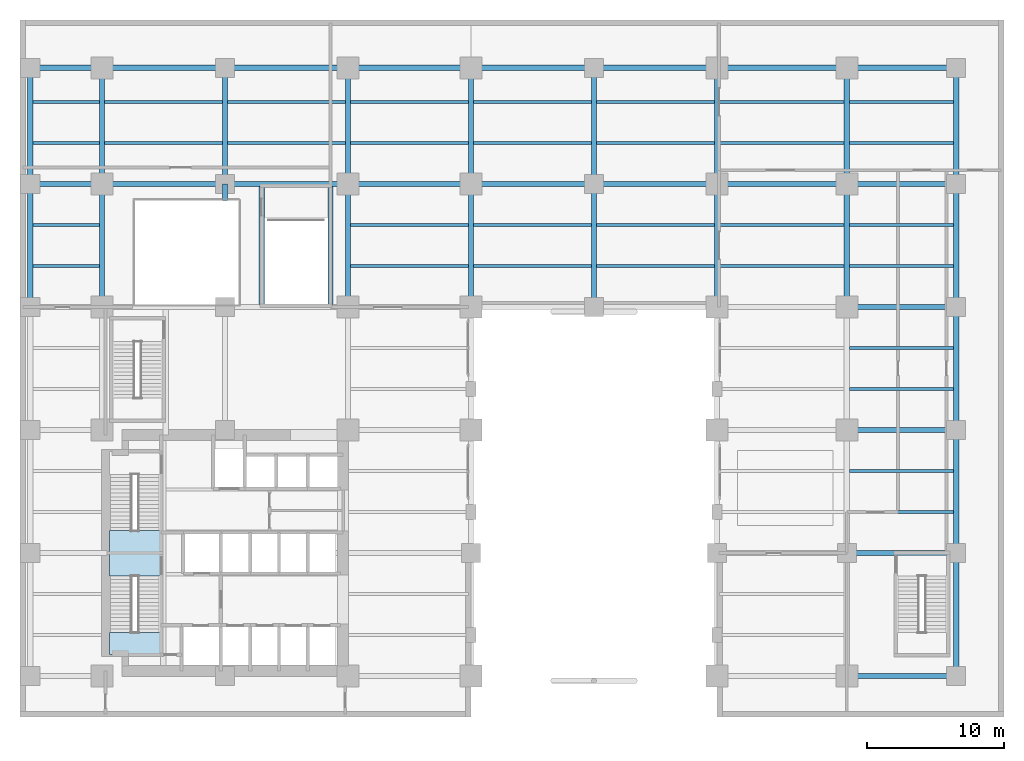
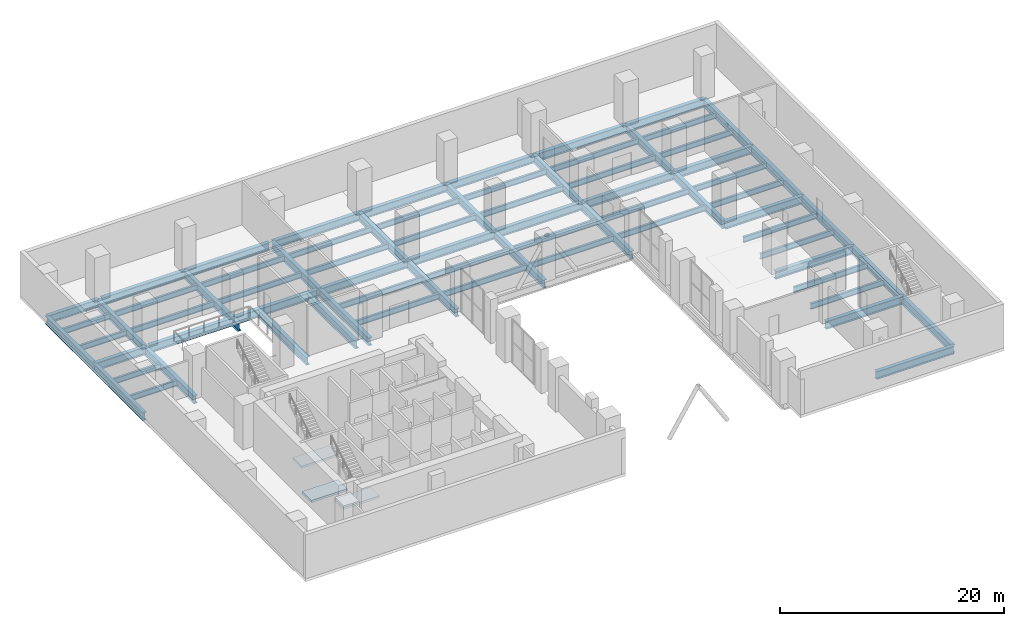
# One storey, part 7 of 13: 75 beams, 3 slabs, 2 elements without a shape of their own.
"""IFC4 building model written with IfcOpenShell, lengths in metres."""

from ifc_helpers import new_model, si_unit, direction, frame, origin, origin_2d, place, context, subcontext, project, spatial, polyline, i_section, outline, extrude, material, layer, layer_set, material_profile, profile_set, type_object, element, aggregate, save


model = new_model("IFC4")

# Units and contexts
model_context = context("Model", 3, precision=1e-05, world=origin(), true_north=direction((0.0, 1.0)))
body_context = subcontext(model_context, "Body", "Model", "MODEL_VIEW")
ifc_project = project(units=[si_unit("LENGTHUNIT", "METRE"), si_unit("AREAUNIT", "SQUARE_METRE"), si_unit("VOLUMEUNIT", "CUBIC_METRE"), si_unit("PLANEANGLEUNIT", "RADIAN"), si_unit("MASSUNIT", "GRAM", prefix="KILO")], contexts=[model_context])

# Site, building, storey
site_placement = place(None, origin())
site = spatial("IfcSite", under=ifc_project, at=site_placement, CompositionType="ELEMENT")
building_placement = place(site_placement, origin())
building = spatial("IfcBuilding", under=site, at=building_placement, Name="Mawjdan Bourse Tower", CompositionType="ELEMENT")
storey_placement = place(building_placement, frame((0.0, 0.0, 10.800048828125)))
storey = spatial("IfcBuildingStorey", under=building, at=storey_placement, Name="L02", CompositionType="ELEMENT", Elevation=10.800048828125)

# Beams
ifc_material_1 = material(Name="Structural Steel S355", Category="steel")
ifc_material_profile_1 = material_profile(ifc_material_1, i_section(OverallWidth=0.39892578125, OverallDepth=0.85595703125, WebThickness=0.018310546875, FlangeThickness=0.029296875, FilletRadius=0.0234375, at=origin_2d()), Name="W33X201")
ifc_profile_set_1 = profile_set([ifc_material_profile_1], Name="Structural Steel S355")
beam_type_1 = type_object("IfcBeamType", Name="GRD-W33X201", PredefinedType="BEAM", material=ifc_profile_set_1)
beam_1_placement = place(storey_placement, frame((0.75, 30.0, -0.72802734375), z_axis=(0.0, 1.0, 0.0), x_axis=(-1.0, 0.0, 0.0)))
element("IfcBeam", 1, at=beam_1_placement, inside=storey, type_object=beam_type_1, Name="L02 West Facade Pier Girder 005", PredefinedType="BEAM", context=body_context, shape_type="SweptSolid", body=[
    extrude(i_section(OverallWidth=0.39892578125, OverallDepth=0.85595703125, WebThickness=0.018310546875, FlangeThickness=0.029296875, FilletRadius=0.0234375, at=origin_2d()), origin(), (0.0, 0.0, 1.0), 9.0),
])
beam_2_placement = place(storey_placement, frame((0.75, 39.0, -0.72802734375), z_axis=(0.0, 1.0, 0.0), x_axis=(-1.0, 0.0, 0.0)))
element("IfcBeam", 2, at=beam_2_placement, inside=storey, type_object=beam_type_1, Name="L02 West Facade Pier Girder 006", PredefinedType="BEAM", context=body_context, shape_type="SweptSolid", body=[
    extrude(i_section(OverallWidth=0.39892578125, OverallDepth=0.85595703125, WebThickness=0.018310546875, FlangeThickness=0.029296875, FilletRadius=0.0234375, at=origin_2d()), origin(), (0.0, 0.0, 1.0), 8.5),
])
for number, where, z_axis, x_axis, name in (
    (3, (17.679931640625, 30.197509765625, -0.72802734375), (0.0, 1.0, 0.0), (-1.0, 0.0, 0.0), "L02 ST4 Stair West Trimmer 008"),
    (4, (22.719970703125, 30.197509765625, -0.72802734375), (0.0, 1.0, 0.0), (-1.0, 0.0, 0.0), "L02 ST4 Stair East Trimmer 009"),
):
    element("IfcBeam", number, at=place(storey_placement, frame(where, z_axis=z_axis, x_axis=x_axis)), inside=storey, type_object=beam_type_1, Name=name, PredefinedType="BEAM", context=body_context, shape_type="SweptSolid", body=[
        extrude(i_section(OverallWidth=0.39892578125, OverallDepth=0.85595703125, WebThickness=0.018310546875, FlangeThickness=0.029296875, FilletRadius=0.0234375, at=origin_2d()), origin(), (0.0, 0.0, 1.0), 8.60498046875),
    ])
beam_3_placement = place(storey_placement, frame((6.0, 30.0, -0.72802734375), z_axis=(0.0, 1.0, 0.0), x_axis=(-1.0, 0.0, 0.0)))
element("IfcBeam", 5, at=beam_3_placement, inside=storey, type_object=beam_type_1, Name="L02 Podium Primary Girder 011", PredefinedType="BEAM", context=body_context, shape_type="SweptSolid", body=[
    extrude(i_section(OverallWidth=0.39892578125, OverallDepth=0.85595703125, WebThickness=0.018310546875, FlangeThickness=0.029296875, FilletRadius=0.0234375, at=origin_2d()), origin(), (0.0, 0.0, 1.0), 9.0),
])
beam_4_placement = place(storey_placement, frame((6.0, 39.0, -0.72802734375), z_axis=(0.0, 1.0, 0.0), x_axis=(-1.0, 0.0, 0.0)))
element("IfcBeam", 6, at=beam_4_placement, inside=storey, type_object=beam_type_1, Name="L02 Podium Primary Girder 012", PredefinedType="BEAM", context=body_context, shape_type="SweptSolid", body=[
    extrude(i_section(OverallWidth=0.39892578125, OverallDepth=0.85595703125, WebThickness=0.018310546875, FlangeThickness=0.029296875, FilletRadius=0.0234375, at=origin_2d()), origin(), (0.0, 0.0, 1.0), 8.5),
])
beam_5_placement = place(storey_placement, frame((15.0, 37.800048828125, -0.72802734375), z_axis=(0.0, 1.0, 0.0), x_axis=(-1.0, 0.0, 0.0)))
element("IfcBeam", 7, at=beam_5_placement, inside=storey, type_object=beam_type_1, Name="L02 Podium Primary Girder 014", PredefinedType="BEAM", context=body_context, shape_type="SweptSolid", body=[
    extrude(i_section(OverallWidth=0.39892578125, OverallDepth=0.85595703125, WebThickness=0.018310546875, FlangeThickness=0.029296875, FilletRadius=0.0234375, at=origin_2d()), origin(), (0.0, 0.0, 1.0), 1.199951171875),
])
beam_6_placement = place(storey_placement, frame((15.0, 39.0, -0.72802734375), z_axis=(0.0, 1.0, 0.0), x_axis=(-1.0, 0.0, 0.0)))
element("IfcBeam", 8, at=beam_6_placement, inside=storey, type_object=beam_type_1, Name="L02 Podium Primary Girder 015", PredefinedType="BEAM", context=body_context, shape_type="SweptSolid", body=[
    extrude(i_section(OverallWidth=0.39892578125, OverallDepth=0.85595703125, WebThickness=0.018310546875, FlangeThickness=0.029296875, FilletRadius=0.0234375, at=origin_2d()), origin(), (0.0, 0.0, 1.0), 8.5),
])
beam_7_placement = place(storey_placement, frame((24.0, 30.0, -0.72802734375), z_axis=(0.0, 1.0, 0.0), x_axis=(-1.0, 0.0, 0.0)))
element("IfcBeam", 9, at=beam_7_placement, inside=storey, type_object=beam_type_1, Name="L02 Podium Primary Girder 017", PredefinedType="BEAM", context=body_context, shape_type="SweptSolid", body=[
    extrude(i_section(OverallWidth=0.39892578125, OverallDepth=0.85595703125, WebThickness=0.018310546875, FlangeThickness=0.029296875, FilletRadius=0.0234375, at=origin_2d()), origin(), (0.0, 0.0, 1.0), 9.0),
])
beam_8_placement = place(storey_placement, frame((24.0, 39.0, -0.72802734375), z_axis=(0.0, 1.0, 0.0), x_axis=(-1.0, 0.0, 0.0)))
element("IfcBeam", 10, at=beam_8_placement, inside=storey, type_object=beam_type_1, Name="L02 Podium Primary Girder 018", PredefinedType="BEAM", context=body_context, shape_type="SweptSolid", body=[
    extrude(i_section(OverallWidth=0.39892578125, OverallDepth=0.85595703125, WebThickness=0.018310546875, FlangeThickness=0.029296875, FilletRadius=0.0234375, at=origin_2d()), origin(), (0.0, 0.0, 1.0), 8.5),
])
beam_9_placement = place(storey_placement, frame((33.0, 30.0, -0.72802734375), z_axis=(0.0, 1.0, 0.0), x_axis=(-1.0, 0.0, 0.0)))
element("IfcBeam", 11, at=beam_9_placement, inside=storey, type_object=beam_type_1, Name="L02 Podium Primary Girder 022", PredefinedType="BEAM", context=body_context, shape_type="SweptSolid", body=[
    extrude(i_section(OverallWidth=0.39892578125, OverallDepth=0.85595703125, WebThickness=0.018310546875, FlangeThickness=0.029296875, FilletRadius=0.0234375, at=origin_2d()), origin(), (0.0, 0.0, 1.0), 9.0),
])
beam_10_placement = place(storey_placement, frame((33.0, 39.0, -0.72802734375), z_axis=(0.0, 1.0, 0.0), x_axis=(-1.0, 0.0, 0.0)))
element("IfcBeam", 12, at=beam_10_placement, inside=storey, type_object=beam_type_1, Name="L02 Podium Primary Girder 023", PredefinedType="BEAM", context=body_context, shape_type="SweptSolid", body=[
    extrude(i_section(OverallWidth=0.39892578125, OverallDepth=0.85595703125, WebThickness=0.018310546875, FlangeThickness=0.029296875, FilletRadius=0.0234375, at=origin_2d()), origin(), (0.0, 0.0, 1.0), 8.5),
])
beam_11_placement = place(storey_placement, frame((42.0, 30.0, -0.72802734375), z_axis=(0.0, 1.0, 0.0), x_axis=(-1.0, 0.0, 0.0)))
element("IfcBeam", 13, at=beam_11_placement, inside=storey, type_object=beam_type_1, Name="L02 Podium Primary Girder 024", PredefinedType="BEAM", context=body_context, shape_type="SweptSolid", body=[
    extrude(i_section(OverallWidth=0.39892578125, OverallDepth=0.85595703125, WebThickness=0.018310546875, FlangeThickness=0.029296875, FilletRadius=0.0234375, at=origin_2d()), origin(), (0.0, 0.0, 1.0), 9.0),
])
beam_12_placement = place(storey_placement, frame((42.0, 39.0, -0.72802734375), z_axis=(0.0, 1.0, 0.0), x_axis=(-1.0, 0.0, 0.0)))
element("IfcBeam", 14, at=beam_12_placement, inside=storey, type_object=beam_type_1, Name="L02 Podium Primary Girder 025", PredefinedType="BEAM", context=body_context, shape_type="SweptSolid", body=[
    extrude(i_section(OverallWidth=0.39892578125, OverallDepth=0.85595703125, WebThickness=0.018310546875, FlangeThickness=0.029296875, FilletRadius=0.0234375, at=origin_2d()), origin(), (0.0, 0.0, 1.0), 8.5),
])
beam_13_placement = place(storey_placement, frame((51.0, 30.0, -0.72802734375), z_axis=(0.0, 1.0, 0.0), x_axis=(-1.0, 0.0, 0.0)))
element("IfcBeam", 15, at=beam_13_placement, inside=storey, type_object=beam_type_1, Name="L02 Podium Primary Girder 029", PredefinedType="BEAM", context=body_context, shape_type="SweptSolid", body=[
    extrude(i_section(OverallWidth=0.39892578125, OverallDepth=0.85595703125, WebThickness=0.018310546875, FlangeThickness=0.029296875, FilletRadius=0.0234375, at=origin_2d()), origin(), (0.0, 0.0, 1.0), 9.0),
])
beam_14_placement = place(storey_placement, frame((51.0, 39.0, -0.72802734375), z_axis=(0.0, 1.0, 0.0), x_axis=(-1.0, 0.0, 0.0)))
element("IfcBeam", 16, at=beam_14_placement, inside=storey, type_object=beam_type_1, Name="L02 Podium Primary Girder 030", PredefinedType="BEAM", context=body_context, shape_type="SweptSolid", body=[
    extrude(i_section(OverallWidth=0.39892578125, OverallDepth=0.85595703125, WebThickness=0.018310546875, FlangeThickness=0.029296875, FilletRadius=0.0234375, at=origin_2d()), origin(), (0.0, 0.0, 1.0), 8.5),
])
beam_15_placement = place(storey_placement, frame((60.5, 30.0, -0.72802734375), z_axis=(0.0, 1.0, 0.0), x_axis=(-1.0, 0.0, 0.0)))
element("IfcBeam", 17, at=beam_15_placement, inside=storey, type_object=beam_type_1, Name="L02 Podium Primary Girder 034", PredefinedType="BEAM", context=body_context, shape_type="SweptSolid", body=[
    extrude(i_section(OverallWidth=0.39892578125, OverallDepth=0.85595703125, WebThickness=0.018310546875, FlangeThickness=0.029296875, FilletRadius=0.0234375, at=origin_2d()), origin(), (0.0, 0.0, 1.0), 9.0),
])
beam_16_placement = place(storey_placement, frame((60.5, 39.0, -0.72802734375), z_axis=(0.0, 1.0, 0.0), x_axis=(-1.0, 0.0, 0.0)))
element("IfcBeam", 18, at=beam_16_placement, inside=storey, type_object=beam_type_1, Name="L02 Podium Primary Girder 035", PredefinedType="BEAM", context=body_context, shape_type="SweptSolid", body=[
    extrude(i_section(OverallWidth=0.39892578125, OverallDepth=0.85595703125, WebThickness=0.018310546875, FlangeThickness=0.029296875, FilletRadius=0.0234375, at=origin_2d()), origin(), (0.0, 0.0, 1.0), 8.5),
])
for number, where, z_axis, x_axis, name in (
    (19, (68.5, 3.0, -0.72802734375), (0.0, 1.0, 0.0), (-1.0, 0.0, 0.0), "L02 Podium Primary Girder 036"),
    (20, (68.5, 12.0, -0.72802734375), (0.0, 1.0, 0.0), (-1.0, 0.0, 0.0), "L02 Podium Primary Girder 037"),
    (21, (68.5, 21.0, -0.72802734375), (0.0, 1.0, 0.0), (-1.0, 0.0, 0.0), "L02 Podium Primary Girder 038"),
    (22, (68.5, 30.0, -0.72802734375), (0.0, 1.0, 0.0), (-1.0, 0.0, 0.0), "L02 Podium Primary Girder 039"),
):
    element("IfcBeam", number, at=place(storey_placement, frame(where, z_axis=z_axis, x_axis=x_axis)), inside=storey, type_object=beam_type_1, Name=name, PredefinedType="BEAM", context=body_context, shape_type="SweptSolid", body=[
        extrude(i_section(OverallWidth=0.39892578125, OverallDepth=0.85595703125, WebThickness=0.018310546875, FlangeThickness=0.029296875, FilletRadius=0.0234375, at=origin_2d()), origin(), (0.0, 0.0, 1.0), 9.0),
    ])
beam_17_placement = place(storey_placement, frame((68.5, 39.0, -0.72802734375), z_axis=(0.0, 1.0, 0.0), x_axis=(-1.0, 0.0, 0.0)))
element("IfcBeam", 23, at=beam_17_placement, inside=storey, type_object=beam_type_1, Name="L02 Podium Primary Girder 040", PredefinedType="BEAM", context=body_context, shape_type="SweptSolid", body=[
    extrude(i_section(OverallWidth=0.39892578125, OverallDepth=0.85595703125, WebThickness=0.018310546875, FlangeThickness=0.029296875, FilletRadius=0.0234375, at=origin_2d()), origin(), (0.0, 0.0, 1.0), 8.5),
])
for number, where, z_axis, x_axis, name in (
    (24, (60.5, 3.0, -0.72802734375), (1.0, 0.0, 0.0), (0.0, 1.0, 0.0), "L02 Podium Tie Girder 044"),
    (25, (60.5, 12.0, -0.72802734375), (1.0, 0.0, 0.0), (0.0, 1.0, 0.0), "L02 Podium Tie Girder 048"),
    (26, (60.5, 21.0, -0.72802734375), (1.0, 0.0, 0.0), (0.0, 1.0, 0.0), "L02 Podium Tie Girder 052"),
    (27, (60.5, 30.0, -0.72802734375), (1.0, 0.0, 0.0), (0.0, 1.0, 0.0), "L02 Podium Tie Girder 060"),
):
    element("IfcBeam", number, at=place(storey_placement, frame(where, z_axis=z_axis, x_axis=x_axis)), inside=storey, type_object=beam_type_1, Name=name, PredefinedType="BEAM", context=body_context, shape_type="SweptSolid", body=[
        extrude(i_section(OverallWidth=0.39892578125, OverallDepth=0.85595703125, WebThickness=0.018310546875, FlangeThickness=0.029296875, FilletRadius=0.0234375, at=origin_2d()), origin(), (0.0, 0.0, 1.0), 8.0),
    ])
beam_18_placement = place(storey_placement, frame((0.75, 39.0, -0.72802734375), z_axis=(1.0, 0.0, 0.0), x_axis=(0.0, 1.0, 0.0)))
element("IfcBeam", 28, at=beam_18_placement, inside=storey, type_object=beam_type_1, Name="L02 Podium Tie Girder 061", PredefinedType="BEAM", context=body_context, shape_type="SweptSolid", body=[
    extrude(i_section(OverallWidth=0.39892578125, OverallDepth=0.85595703125, WebThickness=0.018310546875, FlangeThickness=0.029296875, FilletRadius=0.0234375, at=origin_2d()), origin(), (0.0, 0.0, 1.0), 5.25),
])
for number, where, z_axis, x_axis, name in (
    (29, (6.35009765625, 39.0, -0.72802734375), (1.0, 0.0, 0.0), (0.0, 1.0, 0.0), "L02 Podium Tie Girder 062"),
    (30, (15.0, 39.0, -0.72802734375), (1.0, 0.0, 0.0), (0.0, 1.0, 0.0), "L02 Podium Tie Girder 063"),
):
    element("IfcBeam", number, at=place(storey_placement, frame(where, z_axis=z_axis, x_axis=x_axis)), inside=storey, type_object=beam_type_1, Name=name, PredefinedType="BEAM", context=body_context, shape_type="SweptSolid", body=[
        extrude(i_section(OverallWidth=0.39892578125, OverallDepth=0.85595703125, WebThickness=0.018310546875, FlangeThickness=0.029296875, FilletRadius=0.0234375, at=origin_2d()), origin(), (0.0, 0.0, 1.0), 8.64990234375),
    ])
for number, where, z_axis, x_axis, name in (
    (31, (24.0, 39.0, -0.72802734375), (1.0, 0.0, 0.0), (0.0, 1.0, 0.0), "L02 Podium Tie Girder 064"),
    (32, (33.0, 39.0, -0.72802734375), (1.0, 0.0, 0.0), (0.0, 1.0, 0.0), "L02 Podium Tie Girder 065"),
    (33, (42.0, 39.0, -0.72802734375), (1.0, 0.0, 0.0), (0.0, 1.0, 0.0), "L02 Podium Tie Girder 066"),
):
    element("IfcBeam", number, at=place(storey_placement, frame(where, z_axis=z_axis, x_axis=x_axis)), inside=storey, type_object=beam_type_1, Name=name, PredefinedType="BEAM", context=body_context, shape_type="SweptSolid", body=[
        extrude(i_section(OverallWidth=0.39892578125, OverallDepth=0.85595703125, WebThickness=0.018310546875, FlangeThickness=0.029296875, FilletRadius=0.0234375, at=origin_2d()), origin(), (0.0, 0.0, 1.0), 9.0),
    ])
beam_19_placement = place(storey_placement, frame((51.0, 39.0, -0.72802734375), z_axis=(1.0, 0.0, 0.0), x_axis=(0.0, 1.0, 0.0)))
element("IfcBeam", 34, at=beam_19_placement, inside=storey, type_object=beam_type_1, Name="L02 Podium Tie Girder 067", PredefinedType="BEAM", context=body_context, shape_type="SweptSolid", body=[
    extrude(i_section(OverallWidth=0.39892578125, OverallDepth=0.85595703125, WebThickness=0.018310546875, FlangeThickness=0.029296875, FilletRadius=0.0234375, at=origin_2d()), origin(), (0.0, 0.0, 1.0), 9.5),
])
beam_20_placement = place(storey_placement, frame((60.5, 39.0, -0.72802734375), z_axis=(1.0, 0.0, 0.0), x_axis=(0.0, 1.0, 0.0)))
element("IfcBeam", 35, at=beam_20_placement, inside=storey, type_object=beam_type_1, Name="L02 Podium Tie Girder 068", PredefinedType="BEAM", context=body_context, shape_type="SweptSolid", body=[
    extrude(i_section(OverallWidth=0.39892578125, OverallDepth=0.85595703125, WebThickness=0.018310546875, FlangeThickness=0.029296875, FilletRadius=0.0234375, at=origin_2d()), origin(), (0.0, 0.0, 1.0), 8.0),
])
beam_21_placement = place(storey_placement, frame((0.75, 47.5, -0.72802734375), z_axis=(1.0, 0.0, 0.0), x_axis=(0.0, 1.0, 0.0)))
element("IfcBeam", 36, at=beam_21_placement, inside=storey, type_object=beam_type_1, Name="L02 Podium Tie Girder 069", PredefinedType="BEAM", context=body_context, shape_type="SweptSolid", body=[
    extrude(i_section(OverallWidth=0.39892578125, OverallDepth=0.85595703125, WebThickness=0.018310546875, FlangeThickness=0.029296875, FilletRadius=0.0234375, at=origin_2d()), origin(), (0.0, 0.0, 1.0), 5.25),
])
for number, where, z_axis, x_axis, name in (
    (37, (6.35009765625, 47.5, -0.72802734375), (1.0, 0.0, 0.0), (0.0, 1.0, 0.0), "L02 Podium Tie Girder 070"),
    (38, (15.0, 47.5, -0.72802734375), (1.0, 0.0, 0.0), (0.0, 1.0, 0.0), "L02 Podium Tie Girder 071"),
):
    element("IfcBeam", number, at=place(storey_placement, frame(where, z_axis=z_axis, x_axis=x_axis)), inside=storey, type_object=beam_type_1, Name=name, PredefinedType="BEAM", context=body_context, shape_type="SweptSolid", body=[
        extrude(i_section(OverallWidth=0.39892578125, OverallDepth=0.85595703125, WebThickness=0.018310546875, FlangeThickness=0.029296875, FilletRadius=0.0234375, at=origin_2d()), origin(), (0.0, 0.0, 1.0), 8.64990234375),
    ])
for number, where, z_axis, x_axis, name in (
    (39, (24.0, 47.5, -0.72802734375), (1.0, 0.0, 0.0), (0.0, 1.0, 0.0), "L02 Podium Tie Girder 072"),
    (40, (33.0, 47.5, -0.72802734375), (1.0, 0.0, 0.0), (0.0, 1.0, 0.0), "L02 Podium Tie Girder 073"),
    (41, (42.0, 47.5, -0.72802734375), (1.0, 0.0, 0.0), (0.0, 1.0, 0.0), "L02 Podium Tie Girder 074"),
):
    element("IfcBeam", number, at=place(storey_placement, frame(where, z_axis=z_axis, x_axis=x_axis)), inside=storey, type_object=beam_type_1, Name=name, PredefinedType="BEAM", context=body_context, shape_type="SweptSolid", body=[
        extrude(i_section(OverallWidth=0.39892578125, OverallDepth=0.85595703125, WebThickness=0.018310546875, FlangeThickness=0.029296875, FilletRadius=0.0234375, at=origin_2d()), origin(), (0.0, 0.0, 1.0), 9.0),
    ])
beam_22_placement = place(storey_placement, frame((51.0, 47.5, -0.72802734375), z_axis=(1.0, 0.0, 0.0), x_axis=(0.0, 1.0, 0.0)))
element("IfcBeam", 42, at=beam_22_placement, inside=storey, type_object=beam_type_1, Name="L02 Podium Tie Girder 075", PredefinedType="BEAM", context=body_context, shape_type="SweptSolid", body=[
    extrude(i_section(OverallWidth=0.39892578125, OverallDepth=0.85595703125, WebThickness=0.018310546875, FlangeThickness=0.029296875, FilletRadius=0.0234375, at=origin_2d()), origin(), (0.0, 0.0, 1.0), 9.5),
])
beam_23_placement = place(storey_placement, frame((60.5, 47.5, -0.72802734375), z_axis=(1.0, 0.0, 0.0), x_axis=(0.0, 1.0, 0.0)))
element("IfcBeam", 43, at=beam_23_placement, inside=storey, type_object=beam_type_1, Name="L02 Podium Tie Girder 076", PredefinedType="BEAM", context=body_context, shape_type="SweptSolid", body=[
    extrude(i_section(OverallWidth=0.39892578125, OverallDepth=0.85595703125, WebThickness=0.018310546875, FlangeThickness=0.029296875, FilletRadius=0.0234375, at=origin_2d()), origin(), (0.0, 0.0, 1.0), 8.0),
])
ifc_material_profile_2 = material_profile(ifc_material_1, i_section(OverallWidth=0.22998046875, OverallDepth=0.616943359375, WebThickness=0.01318359375, FlangeThickness=0.022216796875, FilletRadius=0.017822265625, at=origin_2d()), Name="W24X94")
ifc_profile_set_2 = profile_set([ifc_material_profile_2], Name="Structural Steel S355")
beam_type_2 = type_object("IfcBeamType", Name="JST-W24X94", PredefinedType="JOIST", material=ifc_profile_set_2)
for number, where, z_axis, x_axis, name in (
    (44, (60.697509765625, 15.0, -0.608642578125), (1.0, 0.0, 0.0), (0.0, 1.0, 0.0), "L02 Composite Floor Joist 086"),
    (45, (60.697509765625, 18.0, -0.608642578125), (1.0, 0.0, 0.0), (0.0, 1.0, 0.0), "L02 Composite Floor Joist 090"),
    (46, (60.697509765625, 24.0, -0.608642578125), (1.0, 0.0, 0.0), (0.0, 1.0, 0.0), "L02 Composite Floor Joist 094"),
    (47, (60.697509765625, 27.0, -0.608642578125), (1.0, 0.0, 0.0), (0.0, 1.0, 0.0), "L02 Composite Floor Joist 098"),
):
    element("IfcBeam", number, at=place(storey_placement, frame(where, z_axis=z_axis, x_axis=x_axis)), inside=storey, type_object=beam_type_2, Name=name, PredefinedType="JOIST", context=body_context, shape_type="SweptSolid", body=[
        extrude(i_section(OverallWidth=0.22998046875, OverallDepth=0.616943359375, WebThickness=0.01318359375, FlangeThickness=0.022216796875, FilletRadius=0.017822265625, at=origin_2d()), origin(), (0.0, 0.0, 1.0), 7.60498046875),
    ])
beam_24_placement = place(storey_placement, frame((0.947509765625, 33.0, -0.608642578125), z_axis=(1.0, 0.0, 0.0), x_axis=(0.0, 1.0, 0.0)))
element("IfcBeam", 48, at=beam_24_placement, inside=storey, type_object=beam_type_2, Name="L02 Composite Floor Joist 099", PredefinedType="JOIST", context=body_context, shape_type="SweptSolid", body=[
    extrude(i_section(OverallWidth=0.22998046875, OverallDepth=0.616943359375, WebThickness=0.01318359375, FlangeThickness=0.022216796875, FilletRadius=0.017822265625, at=origin_2d()), origin(), (0.0, 0.0, 1.0), 4.85498046875),
])
for number, where, z_axis, x_axis, name in (
    (49, (24.197509765625, 33.0, -0.608642578125), (1.0, 0.0, 0.0), (0.0, 1.0, 0.0), "L02 Composite Floor Joist 100"),
    (50, (33.197509765625, 33.0, -0.608642578125), (1.0, 0.0, 0.0), (0.0, 1.0, 0.0), "L02 Composite Floor Joist 101"),
    (51, (42.197509765625, 33.0, -0.608642578125), (1.0, 0.0, 0.0), (0.0, 1.0, 0.0), "L02 Composite Floor Joist 102"),
):
    element("IfcBeam", number, at=place(storey_placement, frame(where, z_axis=z_axis, x_axis=x_axis)), inside=storey, type_object=beam_type_2, Name=name, PredefinedType="JOIST", context=body_context, shape_type="SweptSolid", body=[
        extrude(i_section(OverallWidth=0.22998046875, OverallDepth=0.616943359375, WebThickness=0.01318359375, FlangeThickness=0.022216796875, FilletRadius=0.017822265625, at=origin_2d()), origin(), (0.0, 0.0, 1.0), 8.60498046875),
    ])
beam_25_placement = place(storey_placement, frame((51.197509765625, 33.0, -0.608642578125), z_axis=(1.0, 0.0, 0.0), x_axis=(0.0, 1.0, 0.0)))
element("IfcBeam", 52, at=beam_25_placement, inside=storey, type_object=beam_type_2, Name="L02 Composite Floor Joist 103", PredefinedType="JOIST", context=body_context, shape_type="SweptSolid", body=[
    extrude(i_section(OverallWidth=0.22998046875, OverallDepth=0.616943359375, WebThickness=0.01318359375, FlangeThickness=0.022216796875, FilletRadius=0.017822265625, at=origin_2d()), origin(), (0.0, 0.0, 1.0), 9.10498046875),
])
beam_26_placement = place(storey_placement, frame((60.697509765625, 33.0, -0.608642578125), z_axis=(1.0, 0.0, 0.0), x_axis=(0.0, 1.0, 0.0)))
element("IfcBeam", 53, at=beam_26_placement, inside=storey, type_object=beam_type_2, Name="L02 Composite Floor Joist 104", PredefinedType="JOIST", context=body_context, shape_type="SweptSolid", body=[
    extrude(i_section(OverallWidth=0.22998046875, OverallDepth=0.616943359375, WebThickness=0.01318359375, FlangeThickness=0.022216796875, FilletRadius=0.017822265625, at=origin_2d()), origin(), (0.0, 0.0, 1.0), 7.60498046875),
])
beam_27_placement = place(storey_placement, frame((0.947509765625, 36.0, -0.608642578125), z_axis=(1.0, 0.0, 0.0), x_axis=(0.0, 1.0, 0.0)))
element("IfcBeam", 54, at=beam_27_placement, inside=storey, type_object=beam_type_2, Name="L02 Composite Floor Joist 105", PredefinedType="JOIST", context=body_context, shape_type="SweptSolid", body=[
    extrude(i_section(OverallWidth=0.22998046875, OverallDepth=0.616943359375, WebThickness=0.01318359375, FlangeThickness=0.022216796875, FilletRadius=0.017822265625, at=origin_2d()), origin(), (0.0, 0.0, 1.0), 4.85498046875),
])
for number, where, z_axis, x_axis, name in (
    (55, (24.197509765625, 36.0, -0.608642578125), (1.0, 0.0, 0.0), (0.0, 1.0, 0.0), "L02 Composite Floor Joist 106"),
    (56, (33.197509765625, 36.0, -0.608642578125), (1.0, 0.0, 0.0), (0.0, 1.0, 0.0), "L02 Composite Floor Joist 107"),
    (57, (42.197509765625, 36.0, -0.608642578125), (1.0, 0.0, 0.0), (0.0, 1.0, 0.0), "L02 Composite Floor Joist 108"),
):
    element("IfcBeam", number, at=place(storey_placement, frame(where, z_axis=z_axis, x_axis=x_axis)), inside=storey, type_object=beam_type_2, Name=name, PredefinedType="JOIST", context=body_context, shape_type="SweptSolid", body=[
        extrude(i_section(OverallWidth=0.22998046875, OverallDepth=0.616943359375, WebThickness=0.01318359375, FlangeThickness=0.022216796875, FilletRadius=0.017822265625, at=origin_2d()), origin(), (0.0, 0.0, 1.0), 8.60498046875),
    ])
beam_28_placement = place(storey_placement, frame((51.197509765625, 36.0, -0.608642578125), z_axis=(1.0, 0.0, 0.0), x_axis=(0.0, 1.0, 0.0)))
element("IfcBeam", 58, at=beam_28_placement, inside=storey, type_object=beam_type_2, Name="L02 Composite Floor Joist 109", PredefinedType="JOIST", context=body_context, shape_type="SweptSolid", body=[
    extrude(i_section(OverallWidth=0.22998046875, OverallDepth=0.616943359375, WebThickness=0.01318359375, FlangeThickness=0.022216796875, FilletRadius=0.017822265625, at=origin_2d()), origin(), (0.0, 0.0, 1.0), 9.10498046875),
])
beam_29_placement = place(storey_placement, frame((60.697509765625, 36.0, -0.608642578125), z_axis=(1.0, 0.0, 0.0), x_axis=(0.0, 1.0, 0.0)))
element("IfcBeam", 59, at=beam_29_placement, inside=storey, type_object=beam_type_2, Name="L02 Composite Floor Joist 110", PredefinedType="JOIST", context=body_context, shape_type="SweptSolid", body=[
    extrude(i_section(OverallWidth=0.22998046875, OverallDepth=0.616943359375, WebThickness=0.01318359375, FlangeThickness=0.022216796875, FilletRadius=0.017822265625, at=origin_2d()), origin(), (0.0, 0.0, 1.0), 7.60498046875),
])
beam_30_placement = place(storey_placement, frame((0.947509765625, 42.0, -0.608642578125), z_axis=(1.0, 0.0, 0.0), x_axis=(0.0, 1.0, 0.0)))
element("IfcBeam", 60, at=beam_30_placement, inside=storey, type_object=beam_type_2, Name="L02 Composite Floor Joist 111", PredefinedType="JOIST", context=body_context, shape_type="SweptSolid", body=[
    extrude(i_section(OverallWidth=0.22998046875, OverallDepth=0.616943359375, WebThickness=0.01318359375, FlangeThickness=0.022216796875, FilletRadius=0.017822265625, at=origin_2d()), origin(), (0.0, 0.0, 1.0), 4.85498046875),
])
for number, where, z_axis, x_axis, name in (
    (61, (6.197509765625, 42.0, -0.608642578125), (1.0, 0.0, 0.0), (0.0, 1.0, 0.0), "L02 Composite Floor Joist 112"),
    (62, (15.197509765625, 42.0, -0.608642578125), (1.0, 0.0, 0.0), (0.0, 1.0, 0.0), "L02 Composite Floor Joist 113"),
    (63, (24.197509765625, 42.0, -0.608642578125), (1.0, 0.0, 0.0), (0.0, 1.0, 0.0), "L02 Composite Floor Joist 114"),
    (64, (33.197509765625, 42.0, -0.608642578125), (1.0, 0.0, 0.0), (0.0, 1.0, 0.0), "L02 Composite Floor Joist 115"),
    (65, (42.197509765625, 42.0, -0.608642578125), (1.0, 0.0, 0.0), (0.0, 1.0, 0.0), "L02 Composite Floor Joist 116"),
):
    element("IfcBeam", number, at=place(storey_placement, frame(where, z_axis=z_axis, x_axis=x_axis)), inside=storey, type_object=beam_type_2, Name=name, PredefinedType="JOIST", context=body_context, shape_type="SweptSolid", body=[
        extrude(i_section(OverallWidth=0.22998046875, OverallDepth=0.616943359375, WebThickness=0.01318359375, FlangeThickness=0.022216796875, FilletRadius=0.017822265625, at=origin_2d()), origin(), (0.0, 0.0, 1.0), 8.60498046875),
    ])
beam_31_placement = place(storey_placement, frame((51.197509765625, 42.0, -0.608642578125), z_axis=(1.0, 0.0, 0.0), x_axis=(0.0, 1.0, 0.0)))
element("IfcBeam", 66, at=beam_31_placement, inside=storey, type_object=beam_type_2, Name="L02 Composite Floor Joist 117", PredefinedType="JOIST", context=body_context, shape_type="SweptSolid", body=[
    extrude(i_section(OverallWidth=0.22998046875, OverallDepth=0.616943359375, WebThickness=0.01318359375, FlangeThickness=0.022216796875, FilletRadius=0.017822265625, at=origin_2d()), origin(), (0.0, 0.0, 1.0), 9.10498046875),
])
beam_32_placement = place(storey_placement, frame((60.697509765625, 42.0, -0.608642578125), z_axis=(1.0, 0.0, 0.0), x_axis=(0.0, 1.0, 0.0)))
element("IfcBeam", 67, at=beam_32_placement, inside=storey, type_object=beam_type_2, Name="L02 Composite Floor Joist 118", PredefinedType="JOIST", context=body_context, shape_type="SweptSolid", body=[
    extrude(i_section(OverallWidth=0.22998046875, OverallDepth=0.616943359375, WebThickness=0.01318359375, FlangeThickness=0.022216796875, FilletRadius=0.017822265625, at=origin_2d()), origin(), (0.0, 0.0, 1.0), 7.60498046875),
])
beam_33_placement = place(storey_placement, frame((0.947509765625, 45.0, -0.608642578125), z_axis=(1.0, 0.0, 0.0), x_axis=(0.0, 1.0, 0.0)))
element("IfcBeam", 68, at=beam_33_placement, inside=storey, type_object=beam_type_2, Name="L02 Composite Floor Joist 119", PredefinedType="JOIST", context=body_context, shape_type="SweptSolid", body=[
    extrude(i_section(OverallWidth=0.22998046875, OverallDepth=0.616943359375, WebThickness=0.01318359375, FlangeThickness=0.022216796875, FilletRadius=0.017822265625, at=origin_2d()), origin(), (0.0, 0.0, 1.0), 4.85498046875),
])
for number, where, z_axis, x_axis, name in (
    (69, (6.197509765625, 45.0, -0.608642578125), (1.0, 0.0, 0.0), (0.0, 1.0, 0.0), "L02 Composite Floor Joist 120"),
    (70, (15.197509765625, 45.0, -0.608642578125), (1.0, 0.0, 0.0), (0.0, 1.0, 0.0), "L02 Composite Floor Joist 121"),
    (71, (24.197509765625, 45.0, -0.608642578125), (1.0, 0.0, 0.0), (0.0, 1.0, 0.0), "L02 Composite Floor Joist 122"),
    (72, (33.197509765625, 45.0, -0.608642578125), (1.0, 0.0, 0.0), (0.0, 1.0, 0.0), "L02 Composite Floor Joist 123"),
    (73, (42.197509765625, 45.0, -0.608642578125), (1.0, 0.0, 0.0), (0.0, 1.0, 0.0), "L02 Composite Floor Joist 124"),
):
    element("IfcBeam", number, at=place(storey_placement, frame(where, z_axis=z_axis, x_axis=x_axis)), inside=storey, type_object=beam_type_2, Name=name, PredefinedType="JOIST", context=body_context, shape_type="SweptSolid", body=[
        extrude(i_section(OverallWidth=0.22998046875, OverallDepth=0.616943359375, WebThickness=0.01318359375, FlangeThickness=0.022216796875, FilletRadius=0.017822265625, at=origin_2d()), origin(), (0.0, 0.0, 1.0), 8.60498046875),
    ])
beam_34_placement = place(storey_placement, frame((51.197509765625, 45.0, -0.608642578125), z_axis=(1.0, 0.0, 0.0), x_axis=(0.0, 1.0, 0.0)))
element("IfcBeam", 74, at=beam_34_placement, inside=storey, type_object=beam_type_2, Name="L02 Composite Floor Joist 125", PredefinedType="JOIST", context=body_context, shape_type="SweptSolid", body=[
    extrude(i_section(OverallWidth=0.22998046875, OverallDepth=0.616943359375, WebThickness=0.01318359375, FlangeThickness=0.022216796875, FilletRadius=0.017822265625, at=origin_2d()), origin(), (0.0, 0.0, 1.0), 9.10498046875),
])
beam_35_placement = place(storey_placement, frame((60.697509765625, 45.0, -0.608642578125), z_axis=(1.0, 0.0, 0.0), x_axis=(0.0, 1.0, 0.0)))
element("IfcBeam", 75, at=beam_35_placement, inside=storey, type_object=beam_type_2, Name="L02 Composite Floor Joist 126", PredefinedType="JOIST", context=body_context, shape_type="SweptSolid", body=[
    extrude(i_section(OverallWidth=0.22998046875, OverallDepth=0.616943359375, WebThickness=0.01318359375, FlangeThickness=0.022216796875, FilletRadius=0.017822265625, at=origin_2d()), origin(), (0.0, 0.0, 1.0), 7.60498046875),
])

# Stair, slabs
ifc_material_2 = material(Name="Concrete C50/60", Category="concrete")
stair_type = type_object("IfcStairType", Name="STR-CORE-1500", PredefinedType="HALF_TURN_STAIR", material=ifc_material_2)
stair_1_placement = place(storey_placement, origin())
stair_1 = element("IfcStair", 76, at=stair_1_placement, inside=storey, type_object=stair_type, Name="L02 Exit Stair 1 (Core South-West)", PredefinedType="HALF_TURN_STAIR")
ifc_layer = layer(ifc_material_2, 0.22998046875)
ifc_layer_set = layer_set([ifc_layer], Name="Concrete C50/60")
slab_type = type_object("IfcSlabType", Name="SL-LND-230", PredefinedType="LANDING", material=ifc_layer_set)
slab_1_placement = place(storey_placement, frame((0.0, 0.0, -0.22998046875)))
slab_1 = element("IfcSlab", 77, at=slab_1_placement, type_object=slab_type, Name="ST1-L02 landing 1", PredefinedType="LANDING", context=body_context, shape_type="SweptSolid", body=[
    extrude(outline(polyline([(6.5400390625, 10.31005859375), (10.260009765625, 10.31005859375), (10.260009765625, 11.969970703125), (6.5400390625, 11.969970703125), (6.5400390625, 10.31005859375)])), origin(), (0.0, 0.0, 1.0), 0.22998046875),
])
slab_2_placement = place(storey_placement, frame((0.0, 0.0, 2.469970703125)))
slab_2 = element("IfcSlab", 78, at=slab_2_placement, type_object=slab_type, Name="ST1-L02 landing 2", PredefinedType="LANDING", context=body_context, shape_type="SweptSolid", body=[
    extrude(outline(polyline([(6.5400390625, 4.590087890625), (10.260009765625, 4.590087890625), (10.260009765625, 6.18994140625), (6.5400390625, 6.18994140625), (6.5400390625, 4.590087890625)])), origin(), (0.0, 0.0, 1.0), 0.22998046875),
])
aggregate(stair_1, [slab_1, slab_2])

# Stair, slab
stair_2_placement = place(storey_placement, origin())
stair_2 = element("IfcStair", 79, at=stair_2_placement, inside=storey, type_object=stair_type, Name="L02 Exit Stair 2 (Core North-West)", PredefinedType="HALF_TURN_STAIR")
slab_3_placement = place(storey_placement, frame((0.0, 0.0, 2.469970703125)))
slab_3 = element("IfcSlab", 80, at=slab_3_placement, type_object=slab_type, Name="ST2-L02 landing 2", PredefinedType="LANDING", context=body_context, shape_type="SweptSolid", body=[
    extrude(outline(polyline([(6.5400390625, 12.030029296875), (10.260009765625, 12.030029296875), (10.260009765625, 13.6298828125), (6.5400390625, 13.6298828125), (6.5400390625, 12.030029296875)])), origin(), (0.0, 0.0, 1.0), 0.22998046875),
])
aggregate(stair_2, [slab_3])

save(model, "model.ifc")
